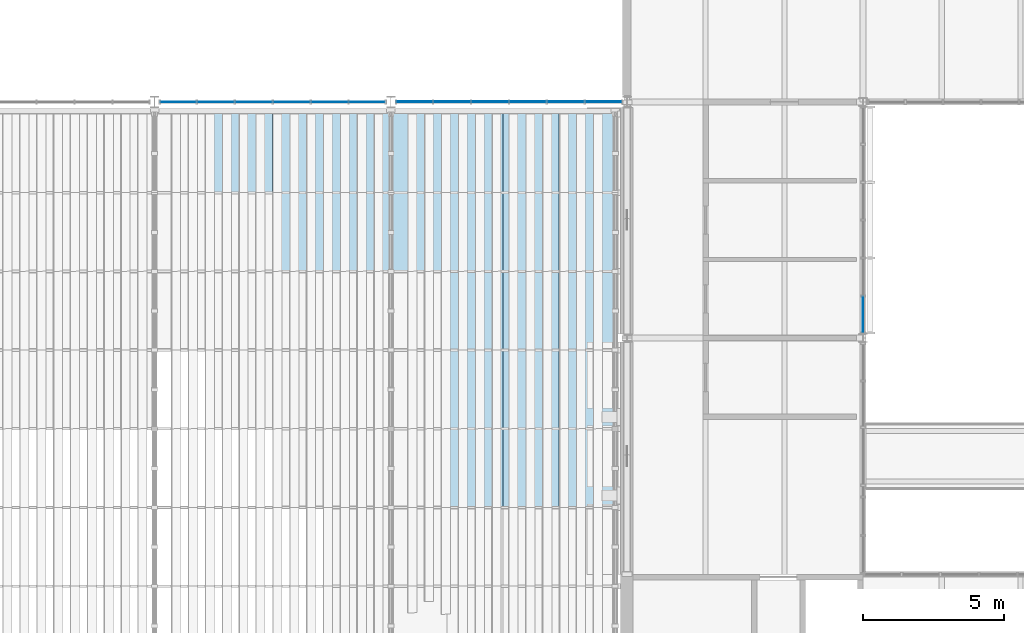
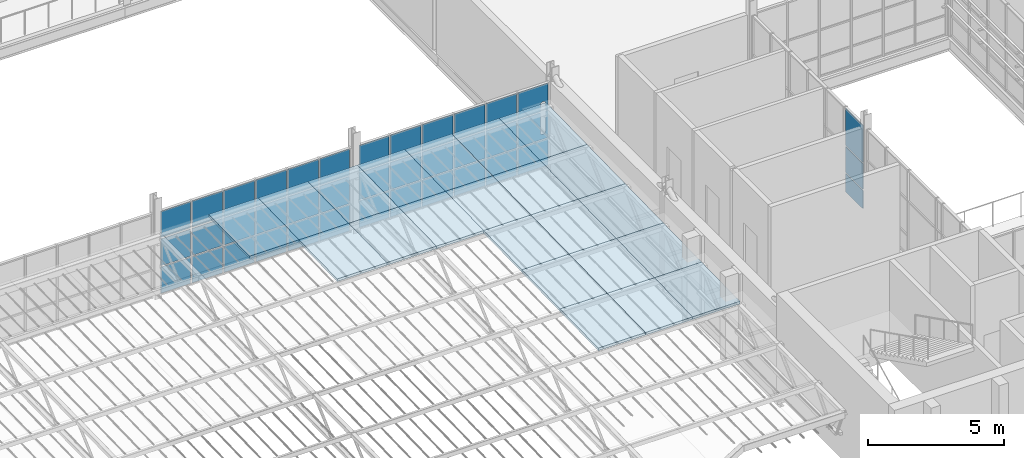
# One storey, part 74 of 129: 61 plates, 3 elements without a shape of their own.
"""IFC4 building model written with IfcOpenShell, lengths in metres."""

from ifc_helpers import new_model, si_unit, direction, frame, origin, origin_2d, place, context, subcontext, project, spatial, polyline, rectangle, outline, extrude, material, layer, layer_set, type_object, element, aggregate, save


model = new_model("IFC4")

# Units and contexts
model_context = context("Model", 3, precision=1e-05, world=origin(), true_north=direction((0.0, 1.0)))
body_context = subcontext(model_context, "Body", "Model", "MODEL_VIEW")
ifc_project = project(units=[si_unit("LENGTHUNIT", "METRE"), si_unit("AREAUNIT", "SQUARE_METRE"), si_unit("VOLUMEUNIT", "CUBIC_METRE"), si_unit("PLANEANGLEUNIT", "RADIAN"), si_unit("MASSUNIT", "GRAM", prefix="KILO")], contexts=[model_context])

# Site, building, storey
site_placement = place(None, origin())
site = spatial("IfcSite", under=ifc_project, at=site_placement, CompositionType="ELEMENT")
building_placement = place(site_placement, origin())
building = spatial("IfcBuilding", under=site, at=building_placement, Name="Ardhachandra Cancer Care Centre", CompositionType="ELEMENT")
storey_placement = place(building_placement, frame((0.0, 0.0, 4.5)))
storey = spatial("IfcBuildingStorey", under=building, at=storey_placement, Name="L01", CompositionType="ELEMENT", Elevation=4.5)

# Plates
ifc_material_1 = material(Name="Glass, laminated low-e insulating unit", Category="glass")
ifc_layer_1 = layer(ifc_material_1, 0.1201171875)
ifc_layer_set_1 = layer_set([ifc_layer_1], Name="Glass, laminated low-e insulating unit")
plate_type_1 = type_object("IfcPlateType", Name="Court glass cassette 120", PredefinedType="SHEET", material=ifc_layer_set_1)
for number, where, z_axis, x_axis, name in (
    (1, (99.0, 51.375, 3.007568359375), (0.0, -0.019934189218, 0.999801294308), (-1.0, 0.0, 0.0), "Court glass cassette 7-1-2"),
    (2, (101.10009765625, 51.375, 3.007568359375), (0.0, -0.019934189218, 0.999801294308), (-1.0, 0.0, 0.0), "Court glass cassette 7-1-3"),
):
    element("IfcPlate", number, at=place(storey_placement, frame(where, z_axis=z_axis, x_axis=x_axis)), inside=storey, type_object=plate_type_1, Name=name, PredefinedType="SHEET", context=body_context, shape_type="SweptSolid", body=[
        extrude(outline(polyline([(0.0, -3.00048828125), (2.10009765625, -3.00048828125), (2.10009765625, 0.0), (0.0, 0.0), (0.0, -3.00048828125)])), frame((0.0, 0.0, -0.1201171875)), (0.0, 0.0, 1.0), 0.1201171875),
    ])
plate_1_placement = place(storey_placement, frame((103.199951171875, 51.375, 3.007568359375), z_axis=(0.0, -0.019934189218, 0.999801294308), x_axis=(-1.0, 0.0, 0.0)))
element("IfcPlate", 3, at=plate_1_placement, inside=storey, type_object=plate_type_1, Name="Court glass cassette 7-1-4", PredefinedType="SHEET", context=body_context, shape_type="SweptSolid", body=[
    extrude(outline(polyline([(0.0, -3.00048828125), (2.099853515625, -3.00048828125), (2.099853515625, 0.0), (0.0, 0.0), (0.0, -3.00048828125)])), frame((0.0, 0.0, -0.1201171875)), (0.0, 0.0, 1.0), 0.1201171875),
])
plate_2_placement = place(storey_placement, frame((99.0, 48.574951171875, 2.951416015625), z_axis=(0.0, -0.02005002746, 0.999798977995), x_axis=(0.0, 0.999798977995, 0.02005002746)))
element("IfcPlate", 4, at=plate_2_placement, inside=storey, type_object=plate_type_1, Name="Court glass cassette 7-2-3", PredefinedType="SHEET", context=body_context, shape_type="SweptSolid", body=[
    extrude(outline(polyline([(0.0, -2.10009765625), (2.800537109375, -2.10009765625), (2.800537109375, 0.0), (0.0, 0.0), (0.0, -2.10009765625)])), frame((0.0, 0.0, -0.1201171875)), (0.0, 0.0, 1.0), 0.1201171875),
])
plate_3_placement = place(storey_placement, frame((101.10009765625, 48.574951171875, 2.951416015625), z_axis=(0.0, -0.02005002746, 0.999798977995), x_axis=(0.0, 0.999798977995, 0.02005002746)))
element("IfcPlate", 5, at=plate_3_placement, inside=storey, type_object=plate_type_1, Name="Court glass cassette 7-2-4", PredefinedType="SHEET", context=body_context, shape_type="SweptSolid", body=[
    extrude(outline(polyline([(0.0, -2.099853515625), (2.800537109375, -2.099853515625), (2.800537109375, 0.0), (0.0, 0.0), (0.0, -2.099853515625)])), frame((0.0, 0.0, -0.1201171875)), (0.0, 0.0, 1.0), 0.1201171875),
])
plate_4_placement = place(storey_placement, frame((105.1962890625, 51.375, 3.007568359375), z_axis=(0.0, -0.019934189218, 0.999801294308), x_axis=(-1.0, 0.0, 0.0)))
element("IfcPlate", 6, at=plate_4_placement, inside=storey, type_object=plate_type_1, Name="Court glass cassette 8-1-1", PredefinedType="SHEET", context=body_context, shape_type="SweptSolid", body=[
    extrude(outline(polyline([(0.0, -3.00048828125), (1.996337890625, -3.00048828125), (1.996337890625, 0.0), (0.0, 0.0), (0.0, -3.00048828125)])), frame((0.0, 0.0, -0.1201171875)), (0.0, 0.0, 1.0), 0.1201171875),
])
plate_5_placement = place(storey_placement, frame((107.1923828125, 51.375, 3.007568359375), z_axis=(0.0, -0.019934189218, 0.999801294308), x_axis=(-1.0, 0.0, 0.0)))
element("IfcPlate", 7, at=plate_5_placement, inside=storey, type_object=plate_type_1, Name="Court glass cassette 8-1-2", PredefinedType="SHEET", context=body_context, shape_type="SweptSolid", body=[
    extrude(outline(polyline([(0.0, -3.00048828125), (1.99609375, -3.00048828125), (1.99609375, 0.0), (0.0, 0.0), (0.0, -3.00048828125)])), frame((0.0, 0.0, -0.1201171875)), (0.0, 0.0, 1.0), 0.1201171875),
])
for number, where, z_axis, x_axis, name in (
    (8, (109.188720703125, 51.375, 3.007568359375), (0.0, -0.019934189218, 0.999801294308), (-1.0, 0.0, 0.0), "Court glass cassette 8-1-3"),
    (9, (111.18505859375, 51.375, 3.007568359375), (0.0, -0.019934189218, 0.999801294308), (-1.0, 0.0, 0.0), "Court glass cassette 8-1-4"),
):
    element("IfcPlate", number, at=place(storey_placement, frame(where, z_axis=z_axis, x_axis=x_axis)), inside=storey, type_object=plate_type_1, Name=name, PredefinedType="SHEET", context=body_context, shape_type="SweptSolid", body=[
        extrude(outline(polyline([(0.0, -3.00048828125), (1.996337890625, -3.00048828125), (1.996337890625, 0.0), (0.0, 0.0), (0.0, -3.00048828125)])), frame((0.0, 0.0, -0.1201171875)), (0.0, 0.0, 1.0), 0.1201171875),
    ])
plate_6_placement = place(storey_placement, frame((103.199951171875, 48.574951171875, 2.951416015625), z_axis=(0.0, -0.02005002746, 0.999798977995), x_axis=(0.0, 0.999798977995, 0.02005002746)))
element("IfcPlate", 10, at=plate_6_placement, inside=storey, type_object=plate_type_1, Name="Court glass cassette 8-2-1", PredefinedType="SHEET", context=body_context, shape_type="SweptSolid", body=[
    extrude(outline(polyline([(0.0, -1.996337890625), (2.800537109375, -1.996337890625), (2.800537109375, 0.0), (0.0, 0.0), (0.0, -1.996337890625)])), frame((0.0, 0.0, -0.1201171875)), (0.0, 0.0, 1.0), 0.1201171875),
])
plate_7_placement = place(storey_placement, frame((105.1962890625, 48.574951171875, 2.951416015625), z_axis=(0.0, -0.02005002746, 0.999798977995), x_axis=(0.0, 0.999798977995, 0.02005002746)))
element("IfcPlate", 11, at=plate_7_placement, inside=storey, type_object=plate_type_1, Name="Court glass cassette 8-2-2", PredefinedType="SHEET", context=body_context, shape_type="SweptSolid", body=[
    extrude(outline(polyline([(0.0, -1.99609375), (2.800537109375, -1.99609375), (2.800537109375, 0.0), (0.0, 0.0), (0.0, -1.99609375)])), frame((0.0, 0.0, -0.1201171875)), (0.0, 0.0, 1.0), 0.1201171875),
])
plate_8_placement = place(storey_placement, frame((107.1923828125, 48.574951171875, 2.951416015625), z_axis=(0.0, -0.02005002746, 0.999798977995), x_axis=(0.0, 0.999798977995, 0.02005002746)))
element("IfcPlate", 12, at=plate_8_placement, inside=storey, type_object=plate_type_1, Name="Court glass cassette 8-2-3", PredefinedType="SHEET", context=body_context, shape_type="SweptSolid", body=[
    extrude(outline(polyline([(0.0, -1.996337890625), (2.800537109375, -1.996337890625), (2.800537109375, 0.0), (0.0, 0.0), (0.0, -1.996337890625)])), frame((0.0, 0.0, -0.1201171875)), (0.0, 0.0, 1.0), 0.1201171875),
])
plate_9_placement = place(storey_placement, frame((111.18505859375, 48.574951171875, 2.951416015625), z_axis=(0.0, -0.02005002746, 0.999798977995), x_axis=(-1.0, 0.0, 0.0)))
element("IfcPlate", 13, at=plate_9_placement, inside=storey, type_object=plate_type_1, Name="Court glass cassette 8-2-4", PredefinedType="SHEET", context=body_context, shape_type="SweptSolid", body=[
    extrude(outline(polyline([(0.0, -2.800537109375), (1.996337890625, -2.800537109375), (1.996337890625, 0.0), (0.0, 0.0), (0.0, -2.800537109375)])), frame((0.0, 0.0, -0.1201171875)), (0.0, 0.0, 1.0), 0.1201171875),
])
plate_10_placement = place(storey_placement, frame((105.1962890625, 45.77490234375, 2.8955078125), z_axis=(0.0, -0.019962888244, 0.999800721691), x_axis=(0.0, 0.999800721691, 0.019962888244)))
element("IfcPlate", 14, at=plate_10_placement, inside=storey, type_object=plate_type_1, Name="Court glass cassette 8-3-2", PredefinedType="SHEET", context=body_context, shape_type="SweptSolid", body=[
    extrude(outline(polyline([(0.0, -1.99609375), (2.800537109375, -1.99609375), (2.800537109375, 0.0), (0.0, 0.0), (0.0, -1.99609375)])), frame((0.0, 0.0, -0.1201171875)), (0.0, 0.0, 1.0), 0.1201171875),
])
plate_11_placement = place(storey_placement, frame((107.1923828125, 45.77490234375, 2.8955078125), z_axis=(0.0, -0.019962888244, 0.999800721691), x_axis=(0.0, 0.999800721691, 0.019962888244)))
element("IfcPlate", 15, at=plate_11_placement, inside=storey, type_object=plate_type_1, Name="Court glass cassette 8-3-3", PredefinedType="SHEET", context=body_context, shape_type="SweptSolid", body=[
    extrude(outline(polyline([(0.0, -1.996337890625), (2.800537109375, -1.996337890625), (2.800537109375, 0.0), (0.0, 0.0), (0.0, -1.996337890625)])), frame((0.0, 0.0, -0.1201171875)), (0.0, 0.0, 1.0), 0.1201171875),
])
plate_12_placement = place(storey_placement, frame((111.18505859375, 45.77490234375, 2.8955078125), z_axis=(0.0, -0.019962888244, 0.999800721691), x_axis=(-1.0, 0.0, 0.0)))
element("IfcPlate", 16, at=plate_12_placement, inside=storey, type_object=plate_type_1, Name="Court glass cassette 8-3-4", PredefinedType="SHEET", context=body_context, shape_type="SweptSolid", body=[
    extrude(outline(polyline([(0.0, -2.800537109375), (1.996337890625, -2.800537109375), (1.996337890625, 0.0), (0.0, 0.0), (0.0, -2.800537109375)])), frame((0.0, 0.0, -0.1201171875)), (0.0, 0.0, 1.0), 0.1201171875),
])
plate_13_placement = place(storey_placement, frame((105.1962890625, 42.97509765625, 2.839599609375), z_axis=(0.0, -0.019964628297, 0.999800686946), x_axis=(0.0, 0.999800686946, 0.019964628297)))
element("IfcPlate", 17, at=plate_13_placement, inside=storey, type_object=plate_type_1, Name="Court glass cassette 8-4-2", PredefinedType="SHEET", context=body_context, shape_type="SweptSolid", body=[
    extrude(outline(polyline([(0.0, -1.99609375), (2.80029296875, -1.99609375), (2.80029296875, 0.0), (0.0, 0.0), (0.0, -1.99609375)])), frame((0.0, 0.0, -0.1201171875)), (0.0, 0.0, 1.0), 0.1201171875),
])
plate_14_placement = place(storey_placement, frame((107.1923828125, 42.97509765625, 2.839599609375), z_axis=(0.0, -0.019964628297, 0.999800686946), x_axis=(0.0, 0.999800686946, 0.019964628297)))
element("IfcPlate", 18, at=plate_14_placement, inside=storey, type_object=plate_type_1, Name="Court glass cassette 8-4-3", PredefinedType="SHEET", context=body_context, shape_type="SweptSolid", body=[
    extrude(outline(polyline([(0.0, -1.996337890625), (2.80029296875, -1.996337890625), (2.80029296875, 0.0), (0.0, 0.0), (0.0, -1.996337890625)])), frame((0.0, 0.0, -0.1201171875)), (0.0, 0.0, 1.0), 0.1201171875),
])
plate_15_placement = place(storey_placement, frame((111.18505859375, 42.97509765625, 2.839599609375), z_axis=(0.0, -0.019964628297, 0.999800686946), x_axis=(-1.0, 0.0, 0.0)))
element("IfcPlate", 19, at=plate_15_placement, inside=storey, type_object=plate_type_1, Name="Court glass cassette 8-4-4", PredefinedType="SHEET", context=body_context, shape_type="SweptSolid", body=[
    extrude(outline(polyline([(0.0, -2.80029296875), (1.996337890625, -2.80029296875), (1.996337890625, 0.0), (0.0, 0.0), (0.0, -2.80029296875)])), frame((0.0, 0.0, -0.1201171875)), (0.0, 0.0, 1.0), 0.1201171875),
])
plate_16_placement = place(storey_placement, frame((105.1962890625, 40.175048828125, 2.783447265625), z_axis=(0.0, -0.02005002746, 0.999798977995), x_axis=(0.0, 0.999798977995, 0.02005002746)))
element("IfcPlate", 20, at=plate_16_placement, inside=storey, type_object=plate_type_1, Name="Court glass cassette 8-5-2", PredefinedType="SHEET", context=body_context, shape_type="SweptSolid", body=[
    extrude(outline(polyline([(0.0, -1.99609375), (2.800537109375, -1.99609375), (2.800537109375, 0.0), (0.0, 0.0), (0.0, -1.99609375)])), frame((0.0, 0.0, -0.1201171875)), (0.0, 0.0, 1.0), 0.1201171875),
])
plate_17_placement = place(storey_placement, frame((107.1923828125, 40.175048828125, 2.783447265625), z_axis=(0.0, -0.02005002746, 0.999798977995), x_axis=(0.0, 0.999798977995, 0.02005002746)))
element("IfcPlate", 21, at=plate_17_placement, inside=storey, type_object=plate_type_1, Name="Court glass cassette 8-5-3", PredefinedType="SHEET", context=body_context, shape_type="SweptSolid", body=[
    extrude(outline(polyline([(0.0, -1.996337890625), (2.800537109375, -1.996337890625), (2.800537109375, 0.0), (0.0, 0.0), (0.0, -1.996337890625)])), frame((0.0, 0.0, -0.1201171875)), (0.0, 0.0, 1.0), 0.1201171875),
])
plate_18_placement = place(storey_placement, frame((111.18505859375, 40.175048828125, 2.783447265625), z_axis=(0.0, -0.02005002746, 0.999798977995), x_axis=(-1.0, 0.0, 0.0)))
element("IfcPlate", 22, at=plate_18_placement, inside=storey, type_object=plate_type_1, Name="Court glass cassette 8-5-4", PredefinedType="SHEET", context=body_context, shape_type="SweptSolid", body=[
    extrude(outline(polyline([(0.0, -2.800537109375), (1.996337890625, -2.800537109375), (1.996337890625, 0.0), (0.0, 0.0), (0.0, -2.800537109375)])), frame((0.0, 0.0, -0.1201171875)), (0.0, 0.0, 1.0), 0.1201171875),
])

# Curtain wall, plates
ifc_material_2 = material(Name="Aluminium extrusion", Category="aluminium")
ifc_layer_2 = layer(ifc_material_2, 0.14990234375)
ifc_layer_set_2 = layer_set([ifc_layer_2], Name="Aluminium extrusion")
curtain_wall_type = type_object("IfcCurtainWallType", Name="Curtain wall run", PredefinedType="NOTDEFINED", material=ifc_layer_set_2)
curtain_wall_1_placement = place(storey_placement, origin())
curtain_wall_1 = element("IfcCurtainWall", 23, at=curtain_wall_1_placement, inside=storey, type_object=curtain_wall_type, Name="Curtain wall L01 e/0120000_0046200", PredefinedType="NOTDEFINED")
ifc_material_3 = material(Name="Low-iron double-glazed unit")
ifc_layer_3 = layer(ifc_material_3, 0.028076171875)
ifc_layer_set_3 = layer_set([ifc_layer_3], Name="Low-iron double-glazed unit")
plate_type_2 = type_object("IfcPlateType", Name="Curtain wall glazing 28", PredefinedType="CURTAIN_PANEL", material=ifc_layer_set_3)
plate_19_placement = place(storey_placement, frame((120.0, 47.0400390625, 0.93017578125), z_axis=(0.0, 0.0, 1.0), x_axis=(0.0, 1.0, 0.0)))
plate_19 = element("IfcPlate", 24, at=plate_19_placement, type_object=plate_type_2, Name="CW panel 1.2", PredefinedType="CURTAIN_PANEL", context=body_context, shape_type="SweptSolid", body=[
    extrude(rectangle(XDim=1.260009765625, YDim=0.028076171875, at=origin_2d()), origin(), (0.0, 0.0, 1.0), 1.139892578125),
])
plate_20_placement = place(storey_placement, frame((120.0, 47.0400390625, 2.1298828125), z_axis=(0.0, 0.0, 1.0), x_axis=(0.0, 1.0, 0.0)))
plate_20 = element("IfcPlate", 25, at=plate_20_placement, type_object=plate_type_2, Name="CW panel 1.3", PredefinedType="CURTAIN_PANEL", context=body_context, shape_type="SweptSolid", body=[
    extrude(rectangle(XDim=1.260009765625, YDim=0.028076171875, at=origin_2d()), origin(), (0.0, 0.0, 1.0), 1.659912109375),
])

curtain_wall_2_placement = place(storey_placement, origin())
curtain_wall_2 = element("IfcCurtainWall", 26, at=curtain_wall_2_placement, inside=storey, type_object=curtain_wall_type, Name="Curtain wall L01 s/0094800_0054600", PredefinedType="NOTDEFINED")
plate_21_placement = place(storey_placement, frame((95.639892578125, 54.60009765625, 0.06005859375), z_axis=(0.0, 0.0, 1.0), x_axis=(1.0, 0.0, 0.0)))
plate_21 = element("IfcPlate", 27, at=plate_21_placement, type_object=plate_type_2, Name="CW panel 1.1", PredefinedType="CURTAIN_PANEL", context=body_context, shape_type="SweptSolid", body=[
    extrude(rectangle(XDim=1.260009765625, YDim=0.028076171875, at=origin_2d()), origin(), (0.0, 0.0, 1.0), 1.170166015625),
])
plate_22_placement = place(storey_placement, frame((95.639892578125, 54.60009765625, 1.2900390625), z_axis=(0.0, 0.0, 1.0), x_axis=(1.0, 0.0, 0.0)))
plate_22 = element("IfcPlate", 28, at=plate_22_placement, type_object=plate_type_2, Name="CW panel 1.2", PredefinedType="CURTAIN_PANEL", context=body_context, shape_type="SweptSolid", body=[
    extrude(rectangle(XDim=1.260009765625, YDim=0.028076171875, at=origin_2d()), origin(), (0.0, 0.0, 1.0), 1.2001953125),
])
plate_23_placement = place(storey_placement, frame((95.639892578125, 54.60009765625, 2.55029296875), z_axis=(0.0, 0.0, 1.0), x_axis=(1.0, 0.0, 0.0)))
plate_23 = element("IfcPlate", 29, at=plate_23_placement, type_object=plate_type_2, Name="CW panel 1.3", PredefinedType="CURTAIN_PANEL", context=body_context, shape_type="SweptSolid", body=[
    extrude(rectangle(XDim=1.260009765625, YDim=0.028076171875, at=origin_2d()), origin(), (0.0, 0.0, 1.0), 1.170166015625),
])
plate_24_placement = place(storey_placement, frame((96.97509765625, 54.60009765625, 0.06005859375), z_axis=(0.0, 0.0, 1.0), x_axis=(1.0, 0.0, 0.0)))
plate_24 = element("IfcPlate", 30, at=plate_24_placement, type_object=plate_type_2, Name="CW panel 2.1", PredefinedType="CURTAIN_PANEL", context=body_context, shape_type="SweptSolid", body=[
    extrude(rectangle(XDim=1.2900390625, YDim=0.028076171875, at=origin_2d()), origin(), (0.0, 0.0, 1.0), 1.170166015625),
])
plate_25_placement = place(storey_placement, frame((96.97509765625, 54.60009765625, 1.2900390625), z_axis=(0.0, 0.0, 1.0), x_axis=(1.0, 0.0, 0.0)))
plate_25 = element("IfcPlate", 31, at=plate_25_placement, type_object=plate_type_2, Name="CW panel 2.2", PredefinedType="CURTAIN_PANEL", context=body_context, shape_type="SweptSolid", body=[
    extrude(rectangle(XDim=1.2900390625, YDim=0.028076171875, at=origin_2d()), origin(), (0.0, 0.0, 1.0), 1.2001953125),
])
plate_26_placement = place(storey_placement, frame((96.97509765625, 54.60009765625, 2.55029296875), z_axis=(0.0, 0.0, 1.0), x_axis=(1.0, 0.0, 0.0)))
plate_26 = element("IfcPlate", 32, at=plate_26_placement, type_object=plate_type_2, Name="CW panel 2.3", PredefinedType="CURTAIN_PANEL", context=body_context, shape_type="SweptSolid", body=[
    extrude(rectangle(XDim=1.2900390625, YDim=0.028076171875, at=origin_2d()), origin(), (0.0, 0.0, 1.0), 1.170166015625),
])
plate_27_placement = place(storey_placement, frame((98.324951171875, 54.60009765625, 0.06005859375), z_axis=(0.0, 0.0, 1.0), x_axis=(1.0, 0.0, 0.0)))
plate_27 = element("IfcPlate", 33, at=plate_27_placement, type_object=plate_type_2, Name="CW panel 3.1", PredefinedType="CURTAIN_PANEL", context=body_context, shape_type="SweptSolid", body=[
    extrude(rectangle(XDim=1.2900390625, YDim=0.028076171875, at=origin_2d()), origin(), (0.0, 0.0, 1.0), 1.170166015625),
])
plate_28_placement = place(storey_placement, frame((98.324951171875, 54.60009765625, 1.2900390625), z_axis=(0.0, 0.0, 1.0), x_axis=(1.0, 0.0, 0.0)))
plate_28 = element("IfcPlate", 34, at=plate_28_placement, type_object=plate_type_2, Name="CW panel 3.2", PredefinedType="CURTAIN_PANEL", context=body_context, shape_type="SweptSolid", body=[
    extrude(rectangle(XDim=1.2900390625, YDim=0.028076171875, at=origin_2d()), origin(), (0.0, 0.0, 1.0), 1.2001953125),
])
plate_29_placement = place(storey_placement, frame((98.324951171875, 54.60009765625, 2.55029296875), z_axis=(0.0, 0.0, 1.0), x_axis=(1.0, 0.0, 0.0)))
plate_29 = element("IfcPlate", 35, at=plate_29_placement, type_object=plate_type_2, Name="CW panel 3.3", PredefinedType="CURTAIN_PANEL", context=body_context, shape_type="SweptSolid", body=[
    extrude(rectangle(XDim=1.2900390625, YDim=0.028076171875, at=origin_2d()), origin(), (0.0, 0.0, 1.0), 1.170166015625),
])
plate_30_placement = place(storey_placement, frame((99.675048828125, 54.60009765625, 0.06005859375), z_axis=(0.0, 0.0, 1.0), x_axis=(1.0, 0.0, 0.0)))
plate_30 = element("IfcPlate", 36, at=plate_30_placement, type_object=plate_type_2, Name="CW panel 4.1", PredefinedType="CURTAIN_PANEL", context=body_context, shape_type="SweptSolid", body=[
    extrude(rectangle(XDim=1.2900390625, YDim=0.028076171875, at=origin_2d()), origin(), (0.0, 0.0, 1.0), 1.170166015625),
])
plate_31_placement = place(storey_placement, frame((99.675048828125, 54.60009765625, 1.2900390625), z_axis=(0.0, 0.0, 1.0), x_axis=(1.0, 0.0, 0.0)))
plate_31 = element("IfcPlate", 37, at=plate_31_placement, type_object=plate_type_2, Name="CW panel 4.2", PredefinedType="CURTAIN_PANEL", context=body_context, shape_type="SweptSolid", body=[
    extrude(rectangle(XDim=1.2900390625, YDim=0.028076171875, at=origin_2d()), origin(), (0.0, 0.0, 1.0), 1.2001953125),
])
plate_32_placement = place(storey_placement, frame((99.675048828125, 54.60009765625, 2.55029296875), z_axis=(0.0, 0.0, 1.0), x_axis=(1.0, 0.0, 0.0)))
plate_32 = element("IfcPlate", 38, at=plate_32_placement, type_object=plate_type_2, Name="CW panel 4.3", PredefinedType="CURTAIN_PANEL", context=body_context, shape_type="SweptSolid", body=[
    extrude(rectangle(XDim=1.2900390625, YDim=0.028076171875, at=origin_2d()), origin(), (0.0, 0.0, 1.0), 1.170166015625),
])
plate_33_placement = place(storey_placement, frame((101.02490234375, 54.60009765625, 0.06005859375), z_axis=(0.0, 0.0, 1.0), x_axis=(1.0, 0.0, 0.0)))
plate_33 = element("IfcPlate", 39, at=plate_33_placement, type_object=plate_type_2, Name="CW panel 5.1", PredefinedType="CURTAIN_PANEL", context=body_context, shape_type="SweptSolid", body=[
    extrude(rectangle(XDim=1.2900390625, YDim=0.028076171875, at=origin_2d()), origin(), (0.0, 0.0, 1.0), 1.170166015625),
])
plate_34_placement = place(storey_placement, frame((101.02490234375, 54.60009765625, 1.2900390625), z_axis=(0.0, 0.0, 1.0), x_axis=(1.0, 0.0, 0.0)))
plate_34 = element("IfcPlate", 40, at=plate_34_placement, type_object=plate_type_2, Name="CW panel 5.2", PredefinedType="CURTAIN_PANEL", context=body_context, shape_type="SweptSolid", body=[
    extrude(rectangle(XDim=1.2900390625, YDim=0.028076171875, at=origin_2d()), origin(), (0.0, 0.0, 1.0), 1.2001953125),
])
plate_35_placement = place(storey_placement, frame((101.02490234375, 54.60009765625, 2.55029296875), z_axis=(0.0, 0.0, 1.0), x_axis=(1.0, 0.0, 0.0)))
plate_35 = element("IfcPlate", 41, at=plate_35_placement, type_object=plate_type_2, Name="CW panel 5.3", PredefinedType="CURTAIN_PANEL", context=body_context, shape_type="SweptSolid", body=[
    extrude(rectangle(XDim=1.2900390625, YDim=0.028076171875, at=origin_2d()), origin(), (0.0, 0.0, 1.0), 1.170166015625),
])
plate_36_placement = place(storey_placement, frame((102.360107421875, 54.60009765625, 0.06005859375), z_axis=(0.0, 0.0, 1.0), x_axis=(1.0, 0.0, 0.0)))
plate_36 = element("IfcPlate", 42, at=plate_36_placement, type_object=plate_type_2, Name="CW panel 6.1", PredefinedType="CURTAIN_PANEL", context=body_context, shape_type="SweptSolid", body=[
    extrude(rectangle(XDim=1.260009765625, YDim=0.028076171875, at=origin_2d()), origin(), (0.0, 0.0, 1.0), 1.170166015625),
])
plate_37_placement = place(storey_placement, frame((102.360107421875, 54.60009765625, 1.2900390625), z_axis=(0.0, 0.0, 1.0), x_axis=(1.0, 0.0, 0.0)))
plate_37 = element("IfcPlate", 43, at=plate_37_placement, type_object=plate_type_2, Name="CW panel 6.2", PredefinedType="CURTAIN_PANEL", context=body_context, shape_type="SweptSolid", body=[
    extrude(rectangle(XDim=1.260009765625, YDim=0.028076171875, at=origin_2d()), origin(), (0.0, 0.0, 1.0), 1.2001953125),
])
plate_38_placement = place(storey_placement, frame((102.360107421875, 54.60009765625, 2.55029296875), z_axis=(0.0, 0.0, 1.0), x_axis=(1.0, 0.0, 0.0)))
plate_38 = element("IfcPlate", 44, at=plate_38_placement, type_object=plate_type_2, Name="CW panel 6.3", PredefinedType="CURTAIN_PANEL", context=body_context, shape_type="SweptSolid", body=[
    extrude(rectangle(XDim=1.260009765625, YDim=0.028076171875, at=origin_2d()), origin(), (0.0, 0.0, 1.0), 1.170166015625),
])
aggregate(curtain_wall_2, [plate_21, plate_22, plate_23, plate_24, plate_25, plate_26, plate_27, plate_28, plate_29, plate_30, plate_31, plate_32, plate_33, plate_34, plate_35, plate_36, plate_37, plate_38])

curtain_wall_3_placement = place(storey_placement, origin())
curtain_wall_3 = element("IfcCurtainWall", 45, at=curtain_wall_3_placement, inside=storey, type_object=curtain_wall_type, Name="Curtain wall L01 s/0103200_0054600", PredefinedType="NOTDEFINED")
plate_39_placement = place(storey_placement, frame((103.409912109375, 54.60009765625, 0.06005859375), z_axis=(0.0, 1.0, 0.0), x_axis=(0.0, 0.0, 1.0)))
plate_39 = element("IfcPlate", 46, at=plate_39_placement, type_object=plate_type_2, Name="CW panel 1.1", PredefinedType="CURTAIN_PANEL", context=body_context, shape_type="SweptSolid", body=[
    extrude(outline(polyline([(0.0, 0.0), (1.170166015625, 0.0), (1.170166015625, 1.260009765625), (0.0, 1.260009765625), (0.0, 0.0)])), origin(), (0.0, 0.0, 1.0), 0.028076171875),
])
plate_40_placement = place(storey_placement, frame((103.409912109375, 54.60009765625, 1.2900390625), z_axis=(0.0, 1.0, 0.0), x_axis=(0.0, 0.0, 1.0)))
plate_40 = element("IfcPlate", 47, at=plate_40_placement, type_object=plate_type_2, Name="CW panel 1.2", PredefinedType="CURTAIN_PANEL", context=body_context, shape_type="SweptSolid", body=[
    extrude(outline(polyline([(0.0, 0.0), (1.2001953125, 0.0), (1.2001953125, 1.260009765625), (0.0, 1.260009765625), (0.0, 0.0)])), origin(), (0.0, 0.0, 1.0), 0.028076171875),
])
plate_41_placement = place(storey_placement, frame((103.409912109375, 54.60009765625, 2.55029296875), z_axis=(0.0, 1.0, 0.0), x_axis=(0.0, 0.0, 1.0)))
plate_41 = element("IfcPlate", 48, at=plate_41_placement, type_object=plate_type_2, Name="CW panel 1.3", PredefinedType="CURTAIN_PANEL", context=body_context, shape_type="SweptSolid", body=[
    extrude(outline(polyline([(0.0, 0.0), (1.170166015625, 0.0), (1.170166015625, 1.260009765625), (0.0, 1.260009765625), (0.0, 0.0)])), origin(), (0.0, 0.0, 1.0), 0.028076171875),
])
plate_42_placement = place(storey_placement, frame((104.72998046875, 54.60009765625, 0.06005859375), z_axis=(0.0, 1.0, 0.0), x_axis=(0.0, 0.0, 1.0)))
plate_42 = element("IfcPlate", 49, at=plate_42_placement, type_object=plate_type_2, Name="CW panel 2.1", PredefinedType="CURTAIN_PANEL", context=body_context, shape_type="SweptSolid", body=[
    extrude(outline(polyline([(0.0, 0.0), (1.170166015625, 0.0), (1.170166015625, 1.2900390625), (0.0, 1.2900390625), (0.0, 0.0)])), origin(), (0.0, 0.0, 1.0), 0.028076171875),
])
plate_43_placement = place(storey_placement, frame((104.72998046875, 54.60009765625, 1.2900390625), z_axis=(0.0, 1.0, 0.0), x_axis=(0.0, 0.0, 1.0)))
plate_43 = element("IfcPlate", 50, at=plate_43_placement, type_object=plate_type_2, Name="CW panel 2.2", PredefinedType="CURTAIN_PANEL", context=body_context, shape_type="SweptSolid", body=[
    extrude(outline(polyline([(0.0, 0.0), (1.2001953125, 0.0), (1.2001953125, 1.2900390625), (0.0, 1.2900390625), (0.0, 0.0)])), origin(), (0.0, 0.0, 1.0), 0.028076171875),
])
plate_44_placement = place(storey_placement, frame((104.72998046875, 54.60009765625, 2.55029296875), z_axis=(0.0, 1.0, 0.0), x_axis=(0.0, 0.0, 1.0)))
plate_44 = element("IfcPlate", 51, at=plate_44_placement, type_object=plate_type_2, Name="CW panel 2.3", PredefinedType="CURTAIN_PANEL", context=body_context, shape_type="SweptSolid", body=[
    extrude(outline(polyline([(0.0, 0.0), (1.170166015625, 0.0), (1.170166015625, 1.2900390625), (0.0, 1.2900390625), (0.0, 0.0)])), origin(), (0.0, 0.0, 1.0), 0.028076171875),
])
plate_45_placement = place(storey_placement, frame((106.080078125, 54.60009765625, 0.06005859375), z_axis=(0.0, 1.0, 0.0), x_axis=(0.0, 0.0, 1.0)))
plate_45 = element("IfcPlate", 52, at=plate_45_placement, type_object=plate_type_2, Name="CW panel 3.1", PredefinedType="CURTAIN_PANEL", context=body_context, shape_type="SweptSolid", body=[
    extrude(outline(polyline([(0.0, 0.0), (1.170166015625, 0.0), (1.170166015625, 1.2900390625), (0.0, 1.2900390625), (0.0, 0.0)])), origin(), (0.0, 0.0, 1.0), 0.028076171875),
])
plate_46_placement = place(storey_placement, frame((106.080078125, 54.60009765625, 1.2900390625), z_axis=(0.0, 1.0, 0.0), x_axis=(0.0, 0.0, 1.0)))
plate_46 = element("IfcPlate", 53, at=plate_46_placement, type_object=plate_type_2, Name="CW panel 3.2", PredefinedType="CURTAIN_PANEL", context=body_context, shape_type="SweptSolid", body=[
    extrude(outline(polyline([(0.0, 0.0), (1.2001953125, 0.0), (1.2001953125, 1.2900390625), (0.0, 1.2900390625), (0.0, 0.0)])), origin(), (0.0, 0.0, 1.0), 0.028076171875),
])
plate_47_placement = place(storey_placement, frame((106.080078125, 54.60009765625, 2.55029296875), z_axis=(0.0, 1.0, 0.0), x_axis=(0.0, 0.0, 1.0)))
plate_47 = element("IfcPlate", 54, at=plate_47_placement, type_object=plate_type_2, Name="CW panel 3.3", PredefinedType="CURTAIN_PANEL", context=body_context, shape_type="SweptSolid", body=[
    extrude(outline(polyline([(0.0, 0.0), (1.170166015625, 0.0), (1.170166015625, 1.2900390625), (0.0, 1.2900390625), (0.0, 0.0)])), origin(), (0.0, 0.0, 1.0), 0.028076171875),
])
plate_48_placement = place(storey_placement, frame((107.429931640625, 54.60009765625, 0.06005859375), z_axis=(0.0, 1.0, 0.0), x_axis=(0.0, 0.0, 1.0)))
plate_48 = element("IfcPlate", 55, at=plate_48_placement, type_object=plate_type_2, Name="CW panel 4.1", PredefinedType="CURTAIN_PANEL", context=body_context, shape_type="SweptSolid", body=[
    extrude(outline(polyline([(0.0, 0.0), (1.170166015625, 0.0), (1.170166015625, 1.2900390625), (0.0, 1.2900390625), (0.0, 0.0)])), origin(), (0.0, 0.0, 1.0), 0.028076171875),
])
plate_49_placement = place(storey_placement, frame((107.429931640625, 54.60009765625, 1.2900390625), z_axis=(0.0, 1.0, 0.0), x_axis=(0.0, 0.0, 1.0)))
plate_49 = element("IfcPlate", 56, at=plate_49_placement, type_object=plate_type_2, Name="CW panel 4.2", PredefinedType="CURTAIN_PANEL", context=body_context, shape_type="SweptSolid", body=[
    extrude(outline(polyline([(0.0, 0.0), (1.2001953125, 0.0), (1.2001953125, 1.2900390625), (0.0, 1.2900390625), (0.0, 0.0)])), origin(), (0.0, 0.0, 1.0), 0.028076171875),
])
plate_50_placement = place(storey_placement, frame((107.429931640625, 54.60009765625, 2.55029296875), z_axis=(0.0, 1.0, 0.0), x_axis=(0.0, 0.0, 1.0)))
plate_50 = element("IfcPlate", 57, at=plate_50_placement, type_object=plate_type_2, Name="CW panel 4.3", PredefinedType="CURTAIN_PANEL", context=body_context, shape_type="SweptSolid", body=[
    extrude(outline(polyline([(0.0, 0.0), (1.170166015625, 0.0), (1.170166015625, 1.2900390625), (0.0, 1.2900390625), (0.0, 0.0)])), origin(), (0.0, 0.0, 1.0), 0.028076171875),
])
plate_51_placement = place(storey_placement, frame((108.780029296875, 54.60009765625, 0.06005859375), z_axis=(0.0, 1.0, 0.0), x_axis=(0.0, 0.0, 1.0)))
plate_51 = element("IfcPlate", 58, at=plate_51_placement, type_object=plate_type_2, Name="CW panel 5.1", PredefinedType="CURTAIN_PANEL", context=body_context, shape_type="SweptSolid", body=[
    extrude(outline(polyline([(0.0, 0.0), (1.170166015625, 0.0), (1.170166015625, 1.2900390625), (0.0, 1.2900390625), (0.0, 0.0)])), origin(), (0.0, 0.0, 1.0), 0.028076171875),
])
plate_52_placement = place(storey_placement, frame((108.780029296875, 54.60009765625, 1.2900390625), z_axis=(0.0, 1.0, 0.0), x_axis=(0.0, 0.0, 1.0)))
plate_52 = element("IfcPlate", 59, at=plate_52_placement, type_object=plate_type_2, Name="CW panel 5.2", PredefinedType="CURTAIN_PANEL", context=body_context, shape_type="SweptSolid", body=[
    extrude(outline(polyline([(0.0, 0.0), (1.2001953125, 0.0), (1.2001953125, 1.2900390625), (0.0, 1.2900390625), (0.0, 0.0)])), origin(), (0.0, 0.0, 1.0), 0.028076171875),
])
plate_53_placement = place(storey_placement, frame((108.780029296875, 54.60009765625, 2.55029296875), z_axis=(0.0, 1.0, 0.0), x_axis=(0.0, 0.0, 1.0)))
plate_53 = element("IfcPlate", 60, at=plate_53_placement, type_object=plate_type_2, Name="CW panel 5.3", PredefinedType="CURTAIN_PANEL", context=body_context, shape_type="SweptSolid", body=[
    extrude(outline(polyline([(0.0, 0.0), (1.170166015625, 0.0), (1.170166015625, 1.2900390625), (0.0, 1.2900390625), (0.0, 0.0)])), origin(), (0.0, 0.0, 1.0), 0.028076171875),
])
plate_54_placement = place(storey_placement, frame((110.1298828125, 54.60009765625, 0.06005859375), z_axis=(0.0, 1.0, 0.0), x_axis=(0.0, 0.0, 1.0)))
plate_54 = element("IfcPlate", 61, at=plate_54_placement, type_object=plate_type_2, Name="CW panel 6.1", PredefinedType="CURTAIN_PANEL", context=body_context, shape_type="SweptSolid", body=[
    extrude(outline(polyline([(0.0, 0.0), (1.170166015625, 0.0), (1.170166015625, 1.260009765625), (0.0, 1.260009765625), (0.0, 0.0)])), origin(), (0.0, 0.0, 1.0), 0.028076171875),
])
plate_55_placement = place(storey_placement, frame((111.389892578125, 54.60009765625, 2.490234375), z_axis=(0.0, 1.0, 0.0), x_axis=(0.0, 0.0, -1.0)))
plate_55 = element("IfcPlate", 62, at=plate_55_placement, type_object=plate_type_2, Name="CW panel 6.2", PredefinedType="CURTAIN_PANEL", context=body_context, shape_type="SweptSolid", body=[
    extrude(outline(polyline([(0.0, 0.0), (1.2001953125, 0.0), (1.2001953125, 1.260009765625), (0.0, 1.260009765625), (0.0, 0.322021484375), (0.888671875, 0.321533203125), (0.9111328125, 0.31689453125), (0.932373046875, 0.30810546875), (0.951416015625, 0.29541015625), (0.9677734375, 0.279296875), (0.98046875, 0.260009765625), (0.9892578125, 0.239013671875), (0.994384765625, 0.204833984375), (0.9892578125, 0.1708984375), (0.98046875, 0.149658203125), (0.9677734375, 0.130615234375), (0.951416015625, 0.1142578125), (0.932373046875, 0.1015625), (0.900146484375, 0.090087890625), (0.877197265625, 0.087646484375), (0.0, 0.087646484375), (0.0, 0.0)])), origin(), (0.0, 0.0, 1.0), 0.028076171875),
])
plate_56_placement = place(storey_placement, frame((110.1298828125, 54.60009765625, 2.55029296875), z_axis=(0.0, 1.0, 0.0), x_axis=(0.0, 0.0, 1.0)))
plate_56 = element("IfcPlate", 63, at=plate_56_placement, type_object=plate_type_2, Name="CW panel 6.3", PredefinedType="CURTAIN_PANEL", context=body_context, shape_type="SweptSolid", body=[
    extrude(outline(polyline([(0.0, 0.0), (1.170166015625, 0.0), (1.170166015625, 1.260009765625), (0.0, 1.260009765625), (0.0, 1.17236328125), (0.30322265625, 1.17236328125), (0.337158203125, 1.167236328125), (0.368408203125, 1.152587890625), (0.393798828125, 1.12939453125), (0.406494140625, 1.1103515625), (0.415283203125, 1.089111328125), (0.42041015625, 1.05517578125), (0.415283203125, 1.02099609375), (0.406494140625, 1.0), (0.393798828125, 0.980712890625), (0.368408203125, 0.957763671875), (0.337158203125, 0.943115234375), (0.30322265625, 0.93798828125), (0.0, 0.93798828125), (0.0, 0.0)])), origin(), (0.0, 0.0, 1.0), 0.028076171875),
])
aggregate(curtain_wall_3, [plate_39, plate_40, plate_41, plate_42, plate_43, plate_44, plate_45, plate_46, plate_47, plate_48, plate_49, plate_50, plate_51, plate_52, plate_53, plate_54, plate_55, plate_56])

# Plate
ifc_material_4 = material(Name="Aluminium composite spandrel panel", Category="aluminium")
ifc_layer_4 = layer(ifc_material_4, 0.028076171875)
ifc_layer_set_4 = layer_set([ifc_layer_4], Name="Aluminium composite spandrel panel")
plate_type_3 = type_object("IfcPlateType", Name="Curtain wall spandrel panel 28", PredefinedType="CURTAIN_PANEL", material=ifc_layer_set_4)
plate_57_placement = place(storey_placement, frame((120.0, 47.0400390625, 0.06005859375), z_axis=(0.0, 0.0, 1.0), x_axis=(0.0, 1.0, 0.0)))
plate_57 = element("IfcPlate", 64, at=plate_57_placement, type_object=plate_type_3, Name="CW panel 1.1", PredefinedType="CURTAIN_PANEL", context=body_context, shape_type="SweptSolid", body=[
    extrude(rectangle(XDim=1.260009765625, YDim=0.028076171875, at=origin_2d()), origin(), (0.0, 0.0, 1.0), 0.81005859375),
])

aggregate(curtain_wall_1, [plate_57, plate_19, plate_20])

save(model, "model.ifc")
